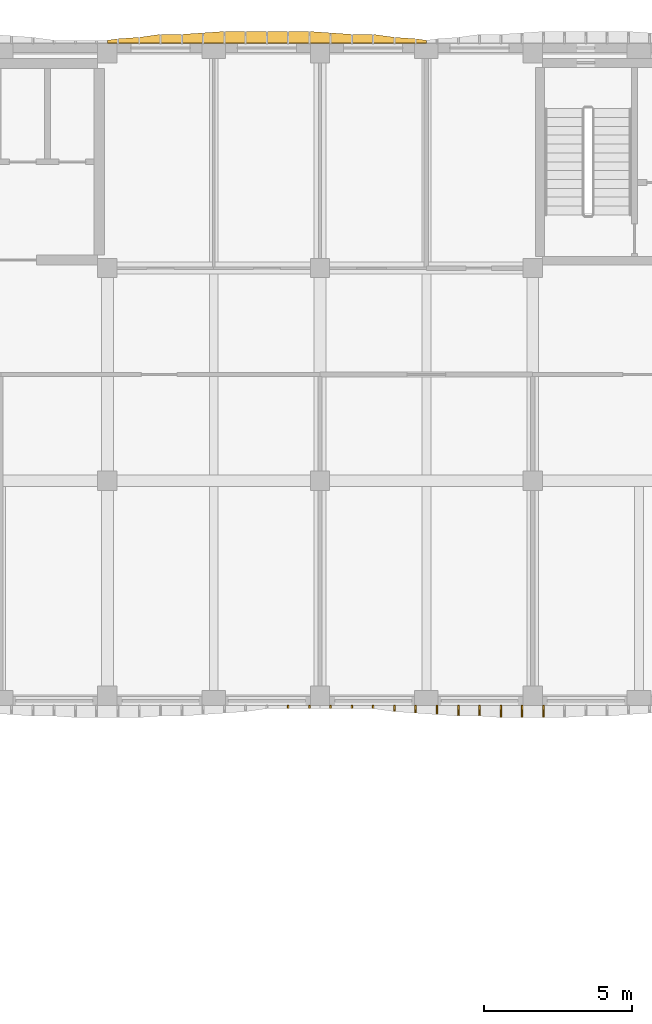
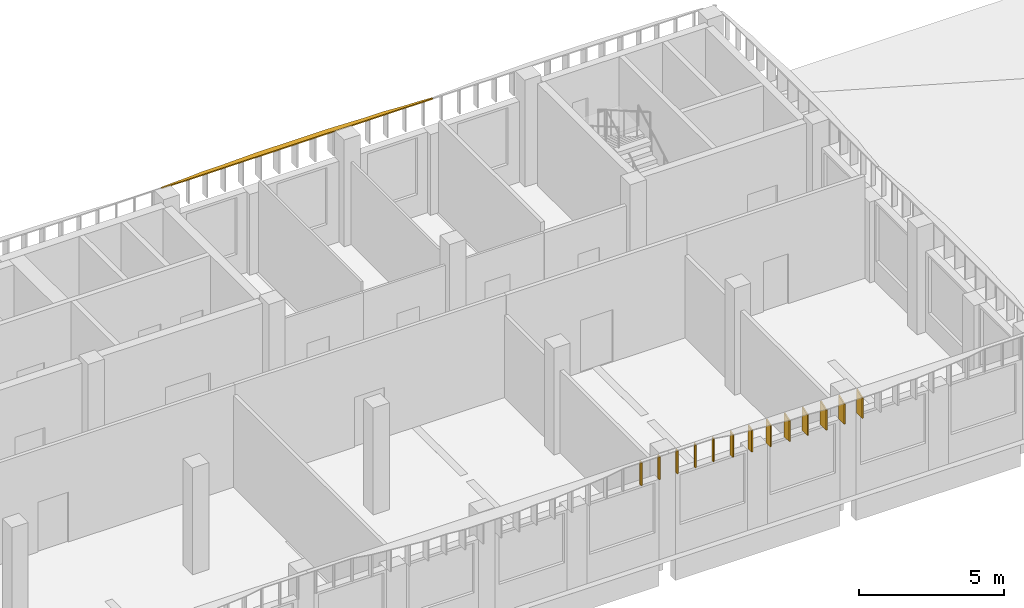
# One storey, part 45 of 54: 14 shading devices.
"""IFC4 building model written with IfcOpenShell, lengths in metres."""

from ifc_helpers import new_model, si_unit, direction, frame, origin, place, context, subcontext, project, spatial, polyline, outline, extrude, material, layer, layer_set, type_object, element, save


model = new_model("IFC4")

# Units and contexts
model_context = context("Model", 3, precision=1e-05, world=origin(), true_north=direction((0.0, 1.0)))
body_context = subcontext(model_context, "Body", "Model", "MODEL_VIEW")
ifc_project = project(units=[si_unit("LENGTHUNIT", "METRE"), si_unit("AREAUNIT", "SQUARE_METRE"), si_unit("VOLUMEUNIT", "CUBIC_METRE"), si_unit("PLANEANGLEUNIT", "RADIAN"), si_unit("MASSUNIT", "GRAM", prefix="KILO")], contexts=[model_context])

# Site, building, storey
site_placement = place(None, origin())
site = spatial("IfcSite", under=ifc_project, at=site_placement, CompositionType="ELEMENT")
building_placement = place(site_placement, origin())
building = spatial("IfcBuilding", under=site, at=building_placement, Name="Ussher Court Research Institute", CompositionType="ELEMENT")
storey_placement = place(building_placement, frame((0.0, 0.0, 14.39990234375)))
storey = spatial("IfcBuildingStorey", under=building, at=storey_placement, Name="L03", CompositionType="ELEMENT", Elevation=14.39990234375)

# Shading devices
ifc_material_1 = material(Name="Bronze anodised aluminium", Category="aluminium")
ifc_layer_1 = layer(ifc_material_1, 0.050048828125)
ifc_layer_set_1 = layer_set([ifc_layer_1], Name="Bronze anodised aluminium")
shading_device_type_1 = type_object("IfcShadingDeviceType", Name="Brim blade 100 mm deep 1000 mm high canted 20 deg dry", PredefinedType="USERDEFINED", material=ifc_layer_set_1)
for number, where, z_axis, x_axis, name in (
    (1, (69.60009765625, 68.39990234375, 3.4501953125), (0.0, 0.0, 1.0), (0.0, -1.0, 0.0), "Brim blade BS17 L03"),
    (2, (68.8798828125, 68.39990234375, 3.4501953125), (0.0, 0.0, 1.0), (0.0, -1.0, 0.0), "Brim blade BS17 L03"),
    (3, (68.159912109375, 68.39990234375, 3.4501953125), (0.0, 0.0, 1.0), (0.0, -1.0, 0.0), "Brim blade BS17 L03"),
    (4, (67.43994140625, 68.39990234375, 3.4501953125), (0.0, 0.0, 1.0), (0.0, -1.0, 0.0), "Brim blade BS17 L03"),
    (5, (66.719970703125, 68.39990234375, 3.4501953125), (0.0, 0.0, 1.0), (0.0, -1.0, 0.0), "Brim blade BS17 L03"),
):
    element("IfcShadingDevice", number, at=place(storey_placement, frame(where, z_axis=z_axis, x_axis=x_axis)), inside=storey, type_object=shading_device_type_1, Name=name, ObjectType="BLADE", PredefinedType="USERDEFINED", context=body_context, shape_type="SweptSolid", body=[
        extrude(outline(polyline([(0.0, 0.0), (0.099853515625, 0.0), (0.10009765625, 0.963623046875), (0.0, 1.0), (0.0, 0.0)])), frame((0.0, 0.02490234375, 0.0), z_axis=(0.0, -1.0, 0.0), x_axis=(1.0, 0.0, 0.0)), (0.0, 0.0, 1.0), 0.050048828125),
    ])
ifc_material_2 = material(Name="Bronze anodised aluminium", Category="aluminium")
ifc_layer_2 = layer(ifc_material_2, 0.050048828125)
ifc_layer_set_2 = layer_set([ifc_layer_2], Name="Bronze anodised aluminium")
shading_device_type_2 = type_object("IfcShadingDeviceType", Name="Brim blade 200 mm deep 1000 mm high canted 20 deg dry", PredefinedType="USERDEFINED", material=ifc_layer_set_2)
shading_device_1_placement = place(storey_placement, frame((70.320068359375, 68.39990234375, 3.4501953125), z_axis=(0.0, 0.0, 1.0), x_axis=(0.0, -1.0, 0.0)))
element("IfcShadingDevice", 6, at=shading_device_1_placement, inside=storey, type_object=shading_device_type_2, Name="Brim blade BS15 L03", ObjectType="BLADE", PredefinedType="USERDEFINED", context=body_context, shape_type="SweptSolid", body=[
    extrude(outline(polyline([(0.0, 0.0), (0.199951171875, 0.0), (0.199951171875, 0.927001953125), (0.0, 1.0), (0.0, 0.0)])), frame((0.0, 0.02490234375, 0.0), z_axis=(0.0, -1.0, 0.0), x_axis=(1.0, 0.0, 0.0)), (0.0, 0.0, 1.0), 0.050048828125),
])
ifc_material_3 = material(Name="Bronze anodised aluminium", Category="aluminium")
ifc_layer_3 = layer(ifc_material_3, 0.050048828125)
ifc_layer_set_3 = layer_set([ifc_layer_3], Name="Bronze anodised aluminium")
shading_device_type_3 = type_object("IfcShadingDeviceType", Name="Brim blade 250 mm deep 1000 mm high canted 20 deg dry", PredefinedType="USERDEFINED", material=ifc_layer_set_3)
shading_device_2_placement = place(storey_placement, frame((71.0400390625, 68.39990234375, 3.4501953125), z_axis=(0.0, 0.0, 1.0), x_axis=(0.0, -1.0, 0.0)))
element("IfcShadingDevice", 7, at=shading_device_2_placement, inside=storey, type_object=shading_device_type_3, Name="Brim blade BS14 L03", ObjectType="BLADE", PredefinedType="USERDEFINED", context=body_context, shape_type="SweptSolid", body=[
    extrude(outline(polyline([(0.0, 0.0), (0.25, 0.0), (0.25, 0.908935546875), (0.0, 1.0), (0.0, 0.0)])), frame((0.0, 0.02490234375, 0.0), z_axis=(0.0, -1.0, 0.0), x_axis=(1.0, 0.0, 0.0)), (0.0, 0.0, 1.0), 0.050048828125),
])
ifc_material_4 = material(Name="Bronze anodised aluminium", Category="aluminium")
ifc_layer_4 = layer(ifc_material_4, 0.050048828125)
ifc_layer_set_4 = layer_set([ifc_layer_4], Name="Bronze anodised aluminium")
shading_device_type_4 = type_object("IfcShadingDeviceType", Name="Brim blade 300 mm deep 1000 mm high canted 20 deg dry", PredefinedType="USERDEFINED", material=ifc_layer_set_4)
shading_device_3_placement = place(storey_placement, frame((71.760009765625, 68.39990234375, 3.4501953125), z_axis=(0.0, 0.0, 1.0), x_axis=(0.0, -1.0, 0.0)))
element("IfcShadingDevice", 8, at=shading_device_3_placement, inside=storey, type_object=shading_device_type_4, Name="Brim blade BS13 L03", ObjectType="BLADE", PredefinedType="USERDEFINED", context=body_context, shape_type="SweptSolid", body=[
    extrude(outline(polyline([(0.0, 0.0), (0.2998046875, 0.0), (0.300048828125, 0.890625), (0.0, 1.0), (0.0, 0.0)])), frame((0.0, 0.02490234375, 0.0), z_axis=(0.0, -1.0, 0.0), x_axis=(1.0, 0.0, 0.0)), (0.0, 0.0, 1.0), 0.050048828125),
])
ifc_material_5 = material(Name="Bronze anodised aluminium", Category="aluminium")
ifc_layer_5 = layer(ifc_material_5, 0.050048828125)
ifc_layer_set_5 = layer_set([ifc_layer_5], Name="Bronze anodised aluminium")
shading_device_type_5 = type_object("IfcShadingDeviceType", Name="Brim blade 350 mm deep 1000 mm high canted 20 deg dry", PredefinedType="USERDEFINED", material=ifc_layer_set_5)
for number, where, z_axis, x_axis, name in (
    (9, (73.199951171875, 68.39990234375, 3.4501953125), (0.0, 0.0, 1.0), (0.0, -1.0, 0.0), "Brim blade BS12 L03"),
    (10, (72.47998046875, 68.39990234375, 3.4501953125), (0.0, 0.0, 1.0), (0.0, -1.0, 0.0), "Brim blade BS12 L03"),
):
    element("IfcShadingDevice", number, at=place(storey_placement, frame(where, z_axis=z_axis, x_axis=x_axis)), inside=storey, type_object=shading_device_type_5, Name=name, ObjectType="BLADE", PredefinedType="USERDEFINED", context=body_context, shape_type="SweptSolid", body=[
        extrude(outline(polyline([(0.0, 0.0), (0.349853515625, 0.0), (0.35009765625, 0.87255859375), (0.0, 1.0), (0.0, 0.0)])), frame((0.0, 0.02490234375, 0.0), z_axis=(0.0, -1.0, 0.0), x_axis=(1.0, 0.0, 0.0)), (0.0, 0.0, 1.0), 0.050048828125),
    ])
ifc_material_6 = material(Name="Bronze anodised aluminium", Category="aluminium")
ifc_layer_6 = layer(ifc_material_6, 0.050048828125)
ifc_layer_set_6 = layer_set([ifc_layer_6], Name="Bronze anodised aluminium")
shading_device_type_6 = type_object("IfcShadingDeviceType", Name="Brim blade 400 mm deep 1000 mm high canted 20 deg dry", PredefinedType="USERDEFINED", material=ifc_layer_set_6)
for number, where, z_axis, x_axis, name in (
    (11, (75.360107421875, 68.39990234375, 3.4501953125), (0.0, 0.0, 1.0), (0.0, -1.0, 0.0), "Brim blade BS11 L03"),
    (12, (74.639892578125, 68.39990234375, 3.4501953125), (0.0, 0.0, 1.0), (0.0, -1.0, 0.0), "Brim blade BS11 L03"),
    (13, (73.919921875, 68.39990234375, 3.4501953125), (0.0, 0.0, 1.0), (0.0, -1.0, 0.0), "Brim blade BS11 L03"),
):
    element("IfcShadingDevice", number, at=place(storey_placement, frame(where, z_axis=z_axis, x_axis=x_axis)), inside=storey, type_object=shading_device_type_6, Name=name, ObjectType="BLADE", PredefinedType="USERDEFINED", context=body_context, shape_type="SweptSolid", body=[
        extrude(outline(polyline([(0.0, 0.0), (0.39990234375, 0.0), (0.39990234375, 0.854248046875), (0.0, 1.0), (0.0, 0.0)])), frame((0.0, 0.02490234375, 0.0), z_axis=(0.0, -1.0, 0.0), x_axis=(1.0, 0.0, 0.0)), (0.0, 0.0, 1.0), 0.050048828125),
    ])
ifc_material_7 = material(Name="Bronze anodised aluminium", Category="aluminium")
ifc_layer_7 = layer(ifc_material_7, 0.0400390625)
ifc_layer_set_7 = layer_set([ifc_layer_7], Name="Bronze anodised aluminium")
shading_device_type_7 = type_object("IfcShadingDeviceType", Name="Brim visor sheet 40 mm canted 20 deg dry", PredefinedType="USERDEFINED", material=ifc_layer_set_7)
shading_device_4_placement = place(storey_placement, frame((60.60009765625, 90.813720703125, 4.48779296875), z_axis=(0.0, 0.342437443403, 0.93954063103), x_axis=(1.0, 0.0, 0.0)))
element("IfcShadingDevice", 14, at=shading_device_4_placement, inside=storey, type_object=shading_device_type_7, Name="Brim visor sheet BR2 L03", ObjectType="BRIM", PredefinedType="USERDEFINED", context=body_context, shape_type="SweptSolid", body=[
    extrude(outline(polyline([(0.0, 0.0), (10.7998046875, 0.0), (10.7998046875, 0.10650264594463102), (10.43994140625, 0.15956639032580203), (9.719970703125, 0.21285951474384548), (9.0, 0.3193621606884765), (8.27978515625, 0.3193621606884765), (7.559814453125, 0.37257168221506404), (6.83984375, 0.42563542659623504), (6.119873046875, 0.42563542659623504), (5.39990234375, 0.42563542659623504), (4.679931640625, 0.42563542659623504), (3.9599609375, 0.42563542659623504), (3.239990234375, 0.37257168221506404), (2.52001953125, 0.3193621606884765), (1.7998046875, 0.3193621606884765), (1.079833984375, 0.21285951474384548), (0.35986328125, 0.15956639032580203), (0.0, 0.10650264594463102), (0.0, 0.0)])), origin(), (0.0, 0.0, -1.0), 0.0400390625),
])

save(model, "model.ifc")
